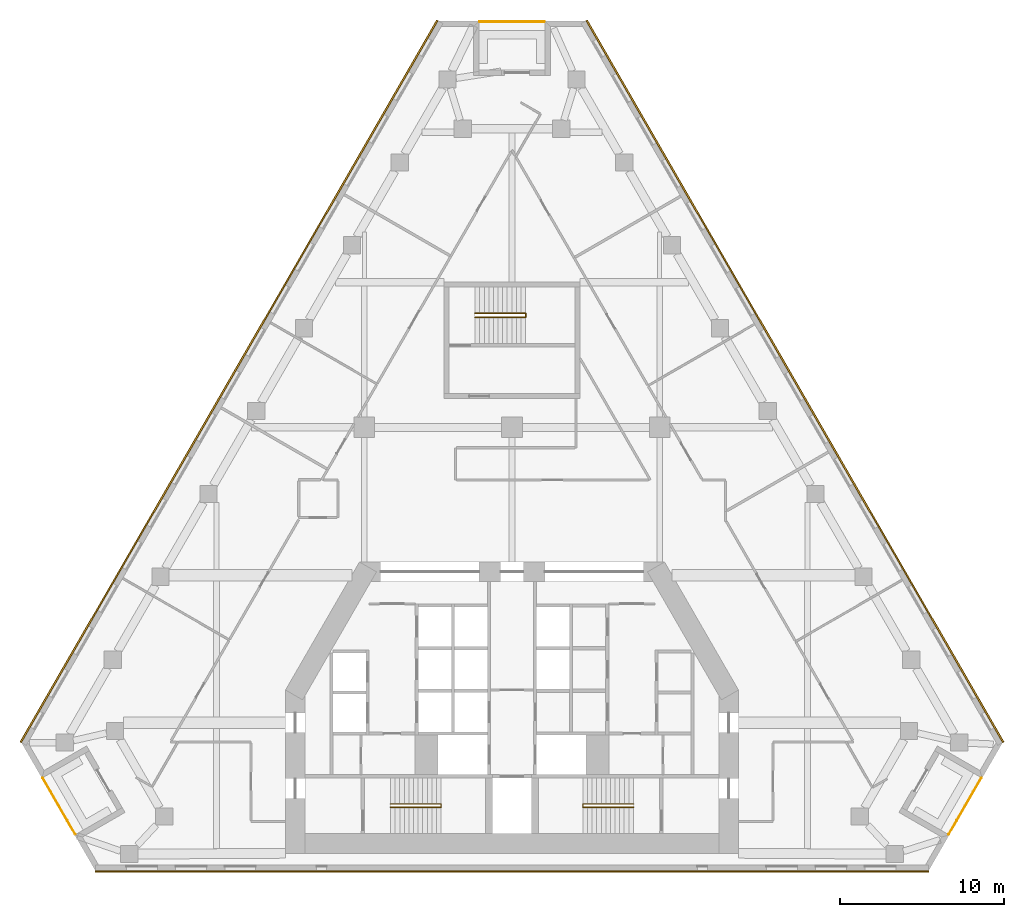
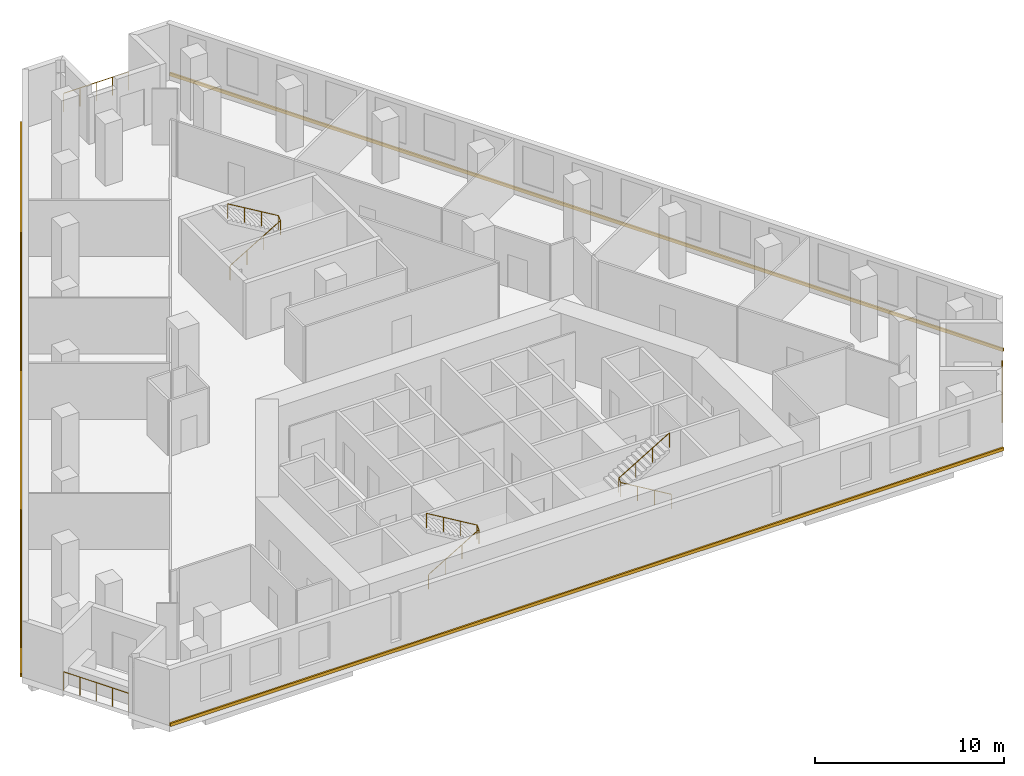
# One storey, part 10 of 10: 6 railings, 3 coverings.
"""IFC4 building model written with IfcOpenShell, lengths in metres."""

from ifc_helpers import new_model, si_unit, direction, frame, origin, origin_2d, place, context, subcontext, project, spatial, polyline, circle, outline, extrude, material, type_object, element, save


model = new_model("IFC4")

# Units and contexts
model_context = context("Model", 3, precision=1e-05, world=origin(), true_north=direction((0.0, 1.0)))
body_context = subcontext(model_context, "Body", "Model", "MODEL_VIEW")
ifc_project = project(units=[si_unit("LENGTHUNIT", "METRE"), si_unit("AREAUNIT", "SQUARE_METRE"), si_unit("VOLUMEUNIT", "CUBIC_METRE"), si_unit("PLANEANGLEUNIT", "RADIAN"), si_unit("MASSUNIT", "GRAM", prefix="KILO")], contexts=[model_context])

# Site, building, storey
site_placement = place(None, origin())
site = spatial("IfcSite", under=ifc_project, at=site_placement, CompositionType="ELEMENT")
building_placement = place(site_placement, origin())
building = spatial("IfcBuilding", under=site, at=building_placement, Name="Fogline Exchange Tower", CompositionType="ELEMENT")
storey_placement = place(building_placement, frame((0.0, 0.0, 120.10009765625)))
storey = spatial("IfcBuildingStorey", under=building, at=storey_placement, Name="L26", CompositionType="ELEMENT", Elevation=120.10009765625)

# Railings
ifc_material_1 = material(Name="Stainless steel 304", Category="steel")
railing_type_1 = type_object("IfcRailingType", Name="G1", PredefinedType="GUARDRAIL", material=ifc_material_1)
railing_1_placement = place(storey_placement, frame((-28.589599609375, 5.635986328125, 0.0)))
element("IfcRailing", 1, at=railing_1_placement, inside=storey, type_object=railing_type_1, Name="Balcony guard L26 SW", PredefinedType="GUARDRAIL", context=body_context, shape_type="SweptSolid", body=[
    extrude(circle(Radius=0.02392578125, at=origin_2d()), frame((0.0, 0.0, 1.17578125), z_axis=(0.500000102728, -0.866025344474, 0.0), x_axis=(0.866025344474, 0.500000102728, 0.0)), (0.0, 0.0, 1.0), 3.9580078125),
    extrude(circle(Radius=0.02099609375, at=origin_2d()), origin(), (0.0, 0.0, 1.0), 1.15185546875),
    extrude(circle(Radius=0.02099609375, at=origin_2d()), frame((0.49462890625, -0.85693359375, 0.0)), (0.0, 0.0, 1.0), 1.15185546875),
    extrude(circle(Radius=0.02099609375, at=origin_2d()), frame((0.989501953125, -1.7138671875, 0.0)), (0.0, 0.0, 1.0), 1.15185546875),
    extrude(circle(Radius=0.02099609375, at=origin_2d()), frame((1.484375, -2.57080078125, 0.0)), (0.0, 0.0, 1.0), 1.15185546875),
    extrude(circle(Radius=0.02099609375, at=origin_2d()), frame((1.97900390625, -3.427734375, 0.0)), (0.0, 0.0, 1.0), 1.15185546875),
])
railing_2_placement = place(storey_placement, frame((26.610595703125, 2.208251953125, 0.0)))
element("IfcRailing", 2, at=railing_2_placement, inside=storey, type_object=railing_type_1, Name="Balcony guard L26 SE", PredefinedType="GUARDRAIL", context=body_context, shape_type="SweptSolid", body=[
    extrude(circle(Radius=0.02392578125, at=origin_2d()), frame((0.0, 0.0, 1.17578125), z_axis=(0.500000102728, 0.866025344474, 0.0), x_axis=(-0.866025344474, 0.500000102728, 0.0)), (0.0, 0.0, 1.0), 3.9580078125),
    extrude(circle(Radius=0.02099609375, at=origin_2d()), origin(), (0.0, 0.0, 1.0), 1.15185546875),
    extrude(circle(Radius=0.02099609375, at=origin_2d()), frame((0.49462890625, 0.85693359375, 0.0)), (0.0, 0.0, 1.0), 1.15185546875),
    extrude(circle(Radius=0.02099609375, at=origin_2d()), frame((0.989501953125, 1.7138671875, 0.0)), (0.0, 0.0, 1.0), 1.15185546875),
    extrude(circle(Radius=0.02099609375, at=origin_2d()), frame((1.484375, 2.57080078125, 0.0)), (0.0, 0.0, 1.0), 1.15185546875),
    extrude(circle(Radius=0.02099609375, at=origin_2d()), frame((1.97900390625, 3.427734375, 0.0)), (0.0, 0.0, 1.0), 1.15185546875),
])
railing_3_placement = place(storey_placement, frame((1.97900390625, 51.726806640625, 0.0)))
element("IfcRailing", 3, at=railing_3_placement, inside=storey, type_object=railing_type_1, Name="Balcony guard L26 N", PredefinedType="GUARDRAIL", context=body_context, shape_type="SweptSolid", body=[
    extrude(circle(Radius=0.02392578125, at=origin_2d()), frame((0.0, 0.0, 1.17578125), z_axis=(-1.0, 0.0, 0.0), x_axis=(0.0, -1.0, 0.0)), (0.0, 0.0, 1.0), 3.9580078125),
    extrude(circle(Radius=0.02099609375, at=origin_2d()), origin(), (0.0, 0.0, 1.0), 1.15185546875),
    extrude(circle(Radius=0.02099609375, at=origin_2d()), frame((-0.989501953125, 0.0, 0.0)), (0.0, 0.0, 1.0), 1.15185546875),
    extrude(circle(Radius=0.02099609375, at=origin_2d()), frame((-1.97900390625, 0.0, 0.0)), (0.0, 0.0, 1.0), 1.15185546875),
    extrude(circle(Radius=0.02099609375, at=origin_2d()), frame((-2.968505859375, 0.0, 0.0)), (0.0, 0.0, 1.0), 1.15185546875),
    extrude(circle(Radius=0.02099609375, at=origin_2d()), frame((-3.9580078125, 0.0, 0.0)), (0.0, 0.0, 1.0), 1.15185546875),
])
ifc_material_2 = material(Name="Steel Q235B", Category="steel")
railing_type_2 = type_object("IfcRailingType", Name="RL-HR", PredefinedType="HANDRAIL", material=ifc_material_2)
railing_4_placement = place(storey_placement, frame((-7.39990234375, 3.85009765625, 0.16650390625)))
element("IfcRailing", 4, at=railing_4_placement, inside=storey, type_object=railing_type_2, Name="Handrail ST1", PredefinedType="HANDRAIL", context=body_context, shape_type="SweptSolid", body=[
    extrude(circle(Radius=0.02392578125, at=origin_2d()), frame((0.0, 0.0, 0.92578125), z_axis=(0.859260807169, 0.0, 0.511537745687), x_axis=(0.0, 1.0, 0.0)), (0.0, 0.0, 1.0), 3.584228515625),
    extrude(circle(Radius=0.02392578125, at=origin_2d()), frame((3.079833984375, 0.0, 2.75927734375), z_axis=(0.0, 0.768451954486, 0.639907488351), x_axis=(-1.0, 0.0, 0.0)), (0.0, 0.0, 1.0), 0.26025390625),
    extrude(circle(Radius=0.02392578125, at=origin_2d()), frame((3.079833984375, 0.199951171875, 2.92578125), z_axis=(-0.859260807169, 0.0, 0.511537745687), x_axis=(0.0, -1.0, 0.0)), (0.0, 0.0, 1.0), 3.584228515625),
    extrude(circle(Radius=0.02099609375, at=origin_2d()), origin(), (0.0, 0.0, 1.0), 0.90185546875),
    extrude(circle(Radius=0.02099609375, at=origin_2d()), frame((1.026611328125, 0.0, 0.611083984375)), (0.0, 0.0, 1.0), 0.90185546875),
    extrude(circle(Radius=0.02099609375, at=origin_2d()), frame((2.05322265625, 0.0, 1.222412109375)), (0.0, 0.0, 1.0), 0.90185546875),
    extrude(circle(Radius=0.02099609375, at=origin_2d()), frame((3.079833984375, 0.0, 1.83349609375)), (0.0, 0.0, 1.0), 0.90185546875),
    extrude(circle(Radius=0.02099609375, at=origin_2d()), frame((3.079833984375, 0.199951171875, 2.0)), (0.0, 0.0, 1.0), 0.90185546875),
    extrude(circle(Radius=0.02099609375, at=origin_2d()), frame((2.05322265625, 0.199951171875, 2.611083984375)), (0.0, 0.0, 1.0), 0.90185546875),
    extrude(circle(Radius=0.02099609375, at=origin_2d()), frame((1.026611328125, 0.199951171875, 3.222412109375)), (0.0, 0.0, 1.0), 0.90185546875),
    extrude(circle(Radius=0.02099609375, at=origin_2d()), frame((0.0, 0.199951171875, 3.83349609375)), (0.0, 0.0, 1.0), 0.90185546875),
])
railing_5_placement = place(storey_placement, frame((7.39990234375, 3.85009765625, 0.16650390625)))
element("IfcRailing", 5, at=railing_5_placement, inside=storey, type_object=railing_type_2, Name="Handrail ST2", PredefinedType="HANDRAIL", context=body_context, shape_type="SweptSolid", body=[
    extrude(circle(Radius=0.02392578125, at=origin_2d()), frame((0.0, 0.0, 0.92578125), z_axis=(-0.859260807169, 0.0, 0.511537745687), x_axis=(0.0, -1.0, 0.0)), (0.0, 0.0, 1.0), 3.584228515625),
    extrude(circle(Radius=0.02392578125, at=origin_2d()), frame((-3.079833984375, 0.0, 2.75927734375), z_axis=(0.0, 0.768451954486, 0.639907488351), x_axis=(-1.0, 0.0, 0.0)), (0.0, 0.0, 1.0), 0.26025390625),
    extrude(circle(Radius=0.02392578125, at=origin_2d()), frame((-3.079833984375, 0.199951171875, 2.92578125), z_axis=(0.859260807169, 0.0, 0.511537745687), x_axis=(0.0, 1.0, 0.0)), (0.0, 0.0, 1.0), 3.584228515625),
    extrude(circle(Radius=0.02099609375, at=origin_2d()), origin(), (0.0, 0.0, 1.0), 0.90185546875),
    extrude(circle(Radius=0.02099609375, at=origin_2d()), frame((-1.026611328125, 0.0, 0.611083984375)), (0.0, 0.0, 1.0), 0.90185546875),
    extrude(circle(Radius=0.02099609375, at=origin_2d()), frame((-2.05322265625, 0.0, 1.222412109375)), (0.0, 0.0, 1.0), 0.90185546875),
    extrude(circle(Radius=0.02099609375, at=origin_2d()), frame((-3.079833984375, 0.0, 1.83349609375)), (0.0, 0.0, 1.0), 0.90185546875),
    extrude(circle(Radius=0.02099609375, at=origin_2d()), frame((-3.079833984375, 0.199951171875, 2.0)), (0.0, 0.0, 1.0), 0.90185546875),
    extrude(circle(Radius=0.02099609375, at=origin_2d()), frame((-2.05322265625, 0.199951171875, 2.611083984375)), (0.0, 0.0, 1.0), 0.90185546875),
    extrude(circle(Radius=0.02099609375, at=origin_2d()), frame((-1.026611328125, 0.199951171875, 3.222412109375)), (0.0, 0.0, 1.0), 0.90185546875),
    extrude(circle(Radius=0.02099609375, at=origin_2d()), frame((0.0, 0.199951171875, 3.83349609375)), (0.0, 0.0, 1.0), 0.90185546875),
])
railing_6_placement = place(storey_placement, frame((-2.25, 33.70703125, 0.16650390625)))
element("IfcRailing", 6, at=railing_6_placement, inside=storey, type_object=railing_type_2, Name="Handrail ST3", PredefinedType="HANDRAIL", context=body_context, shape_type="SweptSolid", body=[
    extrude(circle(Radius=0.02392578125, at=origin_2d()), frame((0.0, 0.0, 0.92578125), z_axis=(0.85927862911, 0.0, 0.511507807912), x_axis=(0.0, 1.0, 0.0)), (0.0, 0.0, 1.0), 3.58447265625),
    extrude(circle(Radius=0.02392578125, at=origin_2d()), frame((3.080078125, 0.0, 2.75927734375), z_axis=(0.0, 0.832300300006, 0.554325004496), x_axis=(-1.0, 0.0, 0.0)), (0.0, 0.0, 1.0), 0.30029296875),
    extrude(circle(Radius=0.02392578125, at=origin_2d()), frame((3.080078125, 0.25, 2.92578125), z_axis=(-0.85927862911, 0.0, 0.511507807912), x_axis=(0.0, -1.0, 0.0)), (0.0, 0.0, 1.0), 3.58447265625),
    extrude(circle(Radius=0.02099609375, at=origin_2d()), origin(), (0.0, 0.0, 1.0), 0.90185546875),
    extrude(circle(Radius=0.02099609375, at=origin_2d()), frame((1.026611328125, 0.0, 0.611083984375)), (0.0, 0.0, 1.0), 0.90185546875),
    extrude(circle(Radius=0.02099609375, at=origin_2d()), frame((2.053466796875, 0.0, 1.222412109375)), (0.0, 0.0, 1.0), 0.90185546875),
    extrude(circle(Radius=0.02099609375, at=origin_2d()), frame((3.080078125, 0.0, 1.83349609375)), (0.0, 0.0, 1.0), 0.90185546875),
    extrude(circle(Radius=0.02099609375, at=origin_2d()), frame((3.080078125, 0.25, 2.0)), (0.0, 0.0, 1.0), 0.90185546875),
    extrude(circle(Radius=0.02099609375, at=origin_2d()), frame((2.053466796875, 0.25, 2.611083984375)), (0.0, 0.0, 1.0), 0.90185546875),
    extrude(circle(Radius=0.02099609375, at=origin_2d()), frame((1.026611328125, 0.25, 3.222412109375)), (0.0, 0.0, 1.0), 0.90185546875),
    extrude(circle(Radius=0.02099609375, at=origin_2d()), frame((0.0, 0.25, 3.83349609375)), (0.0, 0.0, 1.0), 0.90185546875),
])

# Coverings
ifc_material_3 = material(Name="Brick masonry", Category="masonry")
covering_type = type_object("IfcCoveringType", Name="SB1", PredefinedType="CLADDING", material=ifc_material_3)
covering_1_placement = place(storey_placement, origin())
element("IfcCovering", 7, at=covering_1_placement, inside=storey, type_object=covering_type, Name="Stringcourse band L26 S", PredefinedType="CLADDING", context=body_context, shape_type="SweptSolid", body=[
    extrude(outline(polyline([(-25.393310546875, 0.0), (-25.393310546875, -0.10009765625), (25.393310546875, -0.10009765625), (25.393310546875, 0.0), (-25.393310546875, 0.0)])), origin(), (0.0, 0.0, 1.0), 0.199951171875),
])
covering_2_placement = place(storey_placement, origin())
element("IfcCovering", 8, at=covering_2_placement, inside=storey, type_object=covering_type, Name="Stringcourse band L26 E", PredefinedType="CLADDING", context=body_context, shape_type="SweptSolid", body=[
    extrude(outline(polyline([(29.893310546875, 7.794189453125), (29.97998046875, 7.84423828125), (4.586669921875, 51.82666015625), (4.5, 51.776611328125), (29.893310546875, 7.794189453125)])), origin(), (0.0, 0.0, 1.0), 0.199951171875),
])
covering_3_placement = place(storey_placement, origin())
element("IfcCovering", 9, at=covering_3_placement, inside=storey, type_object=covering_type, Name="Stringcourse band L26 W", PredefinedType="CLADDING", context=body_context, shape_type="SweptSolid", body=[
    extrude(outline(polyline([(-4.5, 51.776611328125), (-4.586669921875, 51.82666015625), (-29.97998046875, 7.84423828125), (-29.893310546875, 7.794189453125), (-4.5, 51.776611328125)])), origin(), (0.0, 0.0, 1.0), 0.199951171875),
])

save(model, "model.ifc")
